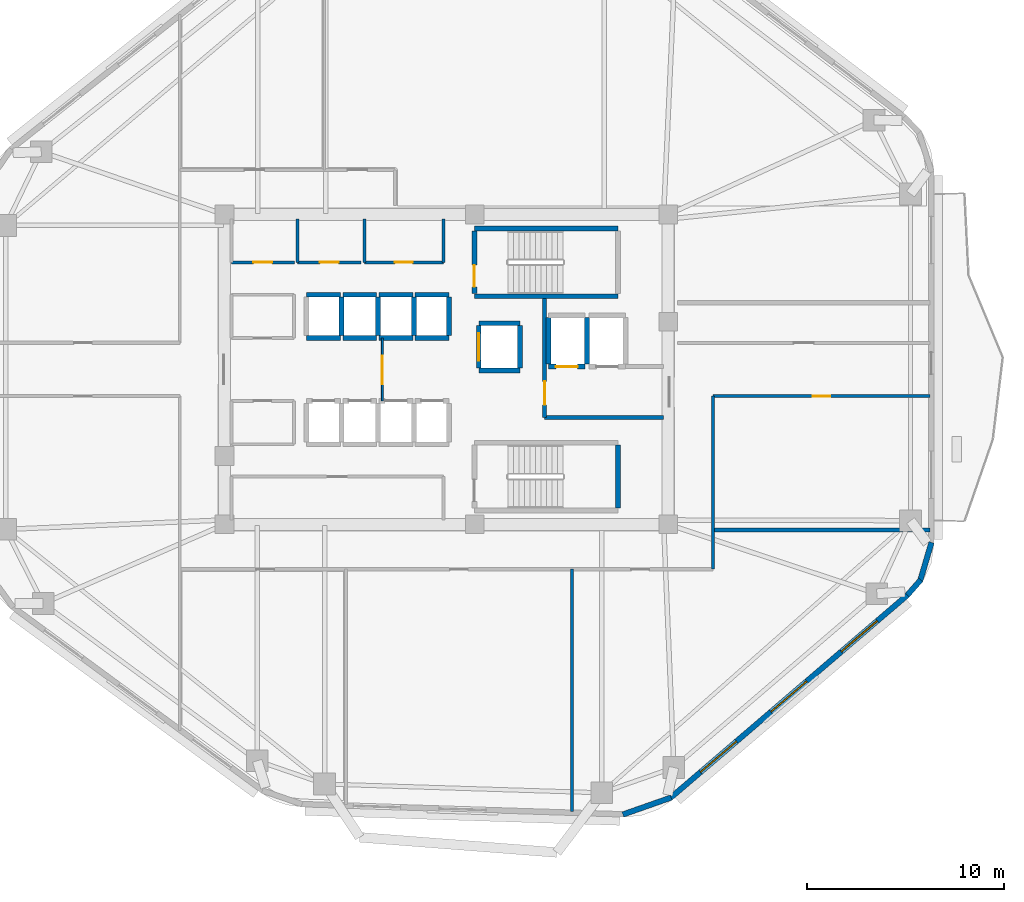
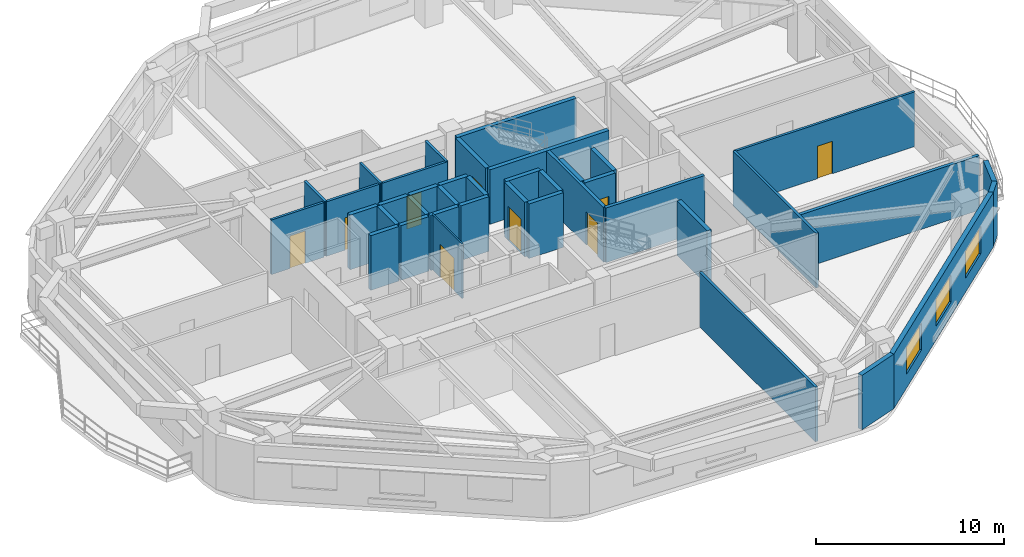
# One storey, part 4 of 8: 40 walls, 9 doors, 3 windows, 12 openings.
"""IFC4 building model written with IfcOpenShell, lengths in metres."""

from ifc_helpers import new_model, si_unit, direction, frame, frame_2d, origin, place, context, subcontext, project, spatial, rectangle, extrude, material, layer, layer_set, type_object, element, fill, save


model = new_model("IFC4")

# Units and contexts
model_context = context("Model", 3, precision=1e-05, world=origin(), true_north=direction((0.0, 1.0)))
body_context = subcontext(model_context, "Body", "Model", "MODEL_VIEW")
ifc_project = project(units=[si_unit("LENGTHUNIT", "METRE"), si_unit("AREAUNIT", "SQUARE_METRE"), si_unit("VOLUMEUNIT", "CUBIC_METRE"), si_unit("PLANEANGLEUNIT", "RADIAN"), si_unit("MASSUNIT", "GRAM", prefix="KILO")], contexts=[model_context])

# Site, building, storey
site_placement = place(None, origin())
site = spatial("IfcSite", under=ifc_project, at=site_placement, CompositionType="ELEMENT")
building_placement = place(site_placement, origin())
building = spatial("IfcBuilding", under=site, at=building_placement, Name="Zulverin Broadcast Headquarters", CompositionType="ELEMENT")
storey_placement = place(building_placement, frame((0.0, 0.0, 151.60009765625)))
storey = spatial("IfcBuildingStorey", under=building, at=storey_placement, Name="L38", CompositionType="ELEMENT", Elevation=151.60009765625)

# Wall
ifc_material_1 = material(Name="Acoustic drywall steel stud", Category="steel")
ifc_layer_1 = layer(ifc_material_1, 0.199951171875, Name="Acoustic drywall steel stud", Category="steel")
ifc_layer_set_1 = layer_set([ifc_layer_1], Name="Acoustic drywall steel stud")
wall_type_1 = type_object("IfcWallType", Name="WL-ACOU-200", PredefinedType="PARTITIONING", material=ifc_layer_set_1)
wall_1_placement = place(storey_placement, frame((50.550048828125, 17.050048828125, 0.0), z_axis=(0.0, 0.0, 1.0), x_axis=(1.0, 0.0, 0.0)))
element("IfcWall", 1, at=wall_1_placement, inside=storey, type_object=wall_type_1, Name="L38 Room Partition Wall RP-09", PredefinedType="PARTITIONING", context=body_context, shape_type="SweptSolid", body=[
    extrude(rectangle(XDim=11.044921875, YDim=0.199951171875, at=frame_2d((5.5224609375, 0.0))), origin(), (0.0, 0.0, 1.0), 3.539794921875),
])

# Wall, openings, windows
ifc_material_2 = material(Name="Insulated pale-metal clad concrete spandrel C40/50", Category="concrete")
ifc_layer_2 = layer(ifc_material_2, 0.280029296875, Name="Insulated pale-metal clad concrete spandrel C40/50", Category="concrete")
ifc_layer_set_2 = layer_set([ifc_layer_2], Name="Insulated pale-metal clad concrete spandrel C40/50")
wall_type_2 = type_object("IfcWallType", Name="WL-EXT-280", PredefinedType="STANDARD", material=ifc_layer_set_2)
wall_2_placement = place(storey_placement, frame((48.38525390625, 3.413818359375, 0.0), z_axis=(0.0, 0.0, 1.0), x_axis=(0.759700260779, 0.650273414628, 0.0)))
wall_2 = element("IfcWall", 2, at=wall_2_placement, inside=storey, type_object=wall_type_2, Name="L38 Pale-Metal Clad Spandrel Wall 2", PredefinedType="STANDARD", context=body_context, shape_type="SweptSolid", body=[
    extrude(rectangle(XDim=15.880859375, YDim=0.280029296875, at=frame_2d((7.9404296875, 0.0))), origin(), (0.0, 0.0, 1.0), 3.539794921875),
])
opening_1_placement = place(wall_2_placement, frame((2.030029296875, 0.0, 0.89990234375)))
opening_1 = element("IfcOpeningElement", 3, at=opening_1_placement, cuts=wall_2, Name="Opening W-L38-E21", PredefinedType="OPENING", context=body_context, shape_type="SweptSolid", body=[
    extrude(rectangle(XDim=2.39990234375, YDim=1.75, at=frame_2d((1.199951171875, 0.875))), frame((0.0, 0.14990234375, 0.0), z_axis=(0.0, -1.0, 0.0), x_axis=(1.0, 0.0, 0.0)), (0.0, 0.0, 1.0), 0.300048828125),
])
opening_2_placement = place(wall_2_placement, frame((6.740478515625, 0.0, 0.89990234375)))
opening_2 = element("IfcOpeningElement", 4, at=opening_2_placement, cuts=wall_2, Name="Opening W-L38-E22", PredefinedType="OPENING", context=body_context, shape_type="SweptSolid", body=[
    extrude(rectangle(XDim=2.39990234375, YDim=1.75, at=frame_2d((1.199951171875, 0.875))), frame((0.0, 0.14990234375, 0.0), z_axis=(0.0, -1.0, 0.0), x_axis=(1.0, 0.0, 0.0)), (0.0, 0.0, 1.0), 0.300048828125),
])
opening_3_placement = place(wall_2_placement, frame((11.45068359375, 0.0, 0.89990234375)))
opening_3 = element("IfcOpeningElement", 5, at=opening_3_placement, cuts=wall_2, Name="Opening W-L38-E23", PredefinedType="OPENING", context=body_context, shape_type="SweptSolid", body=[
    extrude(rectangle(XDim=2.39990234375, YDim=1.75, at=frame_2d((1.199951171875, 0.875))), frame((0.0, 0.14990234375, 0.0), z_axis=(0.0, -1.0, 0.0), x_axis=(1.0, 0.0, 0.0)), (0.0, 0.0, 1.0), 0.300048828125),
])
ifc_material_3 = material(Name="Pale anodized aluminium frame with solar-control low-E double glazing", Category="aluminium")
window_type = type_object("IfcWindowType", Name="WIN-RIB-2400", PartitioningType="SINGLE_PANEL", PredefinedType="WINDOW", material=ifc_material_3)
window_1_placement = place(opening_1_placement, origin())
window_1 = element("IfcWindow", 6, at=window_1_placement, inside=storey, type_object=window_type, Name="L38 Ribbon Glazing Window 2 1", OverallHeight=1.75, OverallWidth=2.39990234375, PartitioningType="SINGLE_PANEL", PredefinedType="WINDOW", context=body_context, shape_type="SweptSolid", body=[
    extrude(rectangle(XDim=2.39990234375, YDim=1.75, at=frame_2d((1.199951171875, 0.875))), frame((0.0, 0.030029296875, 0.0), z_axis=(0.0, -1.0, 0.0), x_axis=(1.0, 0.0, 0.0)), (0.0, 0.0, 1.0), 0.06005859375),
])
fill(opening_1, window_1)
window_2_placement = place(opening_2_placement, origin())
window_2 = element("IfcWindow", 7, at=window_2_placement, inside=storey, type_object=window_type, Name="L38 Ribbon Glazing Window 2 2", OverallHeight=1.75, OverallWidth=2.39990234375, PartitioningType="SINGLE_PANEL", PredefinedType="WINDOW", context=body_context, shape_type="SweptSolid", body=[
    extrude(rectangle(XDim=2.39990234375, YDim=1.75, at=frame_2d((1.199951171875, 0.875))), frame((0.0, 0.030029296875, 0.0), z_axis=(0.0, -1.0, 0.0), x_axis=(1.0, 0.0, 0.0)), (0.0, 0.0, 1.0), 0.06005859375),
])
fill(opening_2, window_2)
window_3_placement = place(opening_3_placement, origin())
window_3 = element("IfcWindow", 8, at=window_3_placement, inside=storey, type_object=window_type, Name="L38 Ribbon Glazing Window 2 3", OverallHeight=1.75, OverallWidth=2.39990234375, PartitioningType="SINGLE_PANEL", PredefinedType="WINDOW", context=body_context, shape_type="SweptSolid", body=[
    extrude(rectangle(XDim=2.39990234375, YDim=1.75, at=frame_2d((1.199951171875, 0.875))), frame((0.0, 0.030029296875, 0.0), z_axis=(0.0, -1.0, 0.0), x_axis=(1.0, 0.0, 0.0)), (0.0, 0.0, 1.0), 0.06005859375),
])
fill(opening_3, window_3)

# Walls
wall_3_placement = place(storey_placement, frame((45.974609375, 2.576416015625, 0.0), z_axis=(0.0, 0.0, 1.0), x_axis=(0.943377643365, 0.331720698781, 0.0)))
element("IfcWall", 9, at=wall_3_placement, inside=storey, type_object=wall_type_2, Name="L38 Wind-Shaped Corner Spandrel Wall 1-1", PredefinedType="STANDARD", context=body_context, shape_type="SweptSolid", body=[
    extrude(rectangle(XDim=2.6025390625, YDim=0.280029296875, at=frame_2d((1.30126953125, 0.0))), origin(), (0.0, 0.0, 1.0), 3.539794921875),
])
wall_4_placement = place(storey_placement, frame((60.435791015625, 13.7265625, 0.0), z_axis=(0.0, 0.0, 1.0), x_axis=(0.658571618609, 0.752518055041, 0.0)))
element("IfcWall", 10, at=wall_4_placement, inside=storey, type_object=wall_type_2, Name="L38 Wind-Shaped Corner Spandrel Wall 2-1", PredefinedType="STANDARD", context=body_context, shape_type="SweptSolid", body=[
    extrude(rectangle(XDim=1.03173828125, YDim=0.280029296875, at=frame_2d((0.515869140625, 0.0))), origin(), (0.0, 0.0, 1.0), 3.539794921875),
])
wall_5_placement = place(storey_placement, frame((61.08642578125, 14.450439453125, 0.0), z_axis=(0.0, 0.0, 1.0), x_axis=(0.283660953453, 0.958924639107, 0.0)))
element("IfcWall", 11, at=wall_5_placement, inside=storey, type_object=wall_type_2, Name="L38 Wind-Shaped Corner Spandrel Wall 2-2", PredefinedType="STANDARD", context=body_context, shape_type="SweptSolid", body=[
    extrude(rectangle(XDim=2.04248046875, YDim=0.280029296875, at=frame_2d((1.021240234375, 0.0))), origin(), (0.0, 0.0, 1.0), 3.539794921875),
])

# Wall, opening, door
ifc_material_4 = material(Name="Concrete C40/50", Category="concrete")
ifc_layer_3 = layer(ifc_material_4, 0.199951171875, Name="Concrete C40/50", Category="concrete")
ifc_layer_set_3 = layer_set([ifc_layer_3], Name="Concrete C40/50")
wall_type_3 = type_object("IfcWallType", Name="WL-FFL-200", PredefinedType="SOLIDWALL", material=ifc_layer_set_3)
wall_6_placement = place(storey_placement, frame((42.0, 22.75, 0.0), z_axis=(0.0, 0.0, 1.0), x_axis=(0.0, 1.0, 0.0)))
wall_6 = element("IfcWall", 12, at=wall_6_placement, inside=storey, type_object=wall_type_3, Name="L38 Firefighting Lift Lobby West Wall", PredefinedType="SOLIDWALL", context=body_context, shape_type="SweptSolid", body=[
    extrude(rectangle(XDim=6.050048828125, YDim=0.199951171875, at=frame_2d((3.02490234375, 0.0))), origin(), (0.0, 0.0, 1.0), 3.539794921875),
])
opening_4_placement = place(wall_6_placement, frame((0.64990234375, 0.0, 0.0)))
opening_4 = element("IfcOpeningElement", 13, at=opening_4_placement, cuts=wall_6, Name="Opening D-L38-FFLW", PredefinedType="OPENING", context=body_context, shape_type="SweptSolid", body=[
    extrude(rectangle(XDim=1.199951171875, YDim=2.14990234375, at=frame_2d((0.60009765625, 1.074951171875))), frame((0.0, 0.10986328125, 0.0), z_axis=(0.0, -1.0, 0.0), x_axis=(1.0, 0.0, 0.0)), (0.0, 0.0, 1.0), 0.219970703125),
])
ifc_material_5 = material(Name="Fire-rated steel leaf and frame", Category="steel")
door_type_1 = type_object("IfcDoorType", Name="DR-FFL-1200", OperationType="SINGLE_SWING_RIGHT", PredefinedType="DOOR", material=ifc_material_5)
door_1_placement = place(opening_4_placement, origin())
door_1 = element("IfcDoor", 14, at=door_1_placement, inside=storey, type_object=door_type_1, Name="L38 Firefighting Lift Lobby Door", OperationType="SINGLE_SWING_RIGHT", OverallHeight=2.14990234375, OverallWidth=1.199951171875, PredefinedType="DOOR", context=body_context, shape_type="SweptSolid", body=[
    extrude(rectangle(XDim=1.199951171875, YDim=2.14990234375, at=frame_2d((0.60009765625, 1.074951171875))), frame((0.0, 0.02490234375, 0.0), z_axis=(0.0, -1.0, 0.0), x_axis=(1.0, 0.0, 0.0)), (0.0, 0.0, 1.0), 0.050048828125),
])
fill(opening_4, door_1)

# Wall
wall_7_placement = place(storey_placement, frame((42.0, 22.75, 0.0), z_axis=(0.0, 0.0, 1.0), x_axis=(1.0, 0.0, 0.0)))
element("IfcWall", 15, at=wall_7_placement, inside=storey, type_object=wall_type_3, Name="L38 Firefighting Lift Lobby South Wall", PredefinedType="SOLIDWALL", context=body_context, shape_type="SweptSolid", body=[
    extrude(rectangle(XDim=6.050048828125, YDim=0.199951171875, at=frame_2d((3.02490234375, 0.0))), origin(), (0.0, 0.0, 1.0), 3.539794921875),
])

# Wall, opening, door
ifc_material_6 = material(Name="Fire-rated acoustic laminated glass screen", Category="glass")
ifc_layer_4 = layer(ifc_material_6, 0.10009765625, Name="Fire-rated acoustic laminated glass screen", Category="glass")
ifc_layer_set_4 = layer_set([ifc_layer_4], Name="Fire-rated acoustic laminated glass screen")
wall_type_4 = type_object("IfcWallType", Name="WL-GLAZ-100", PredefinedType="PARTITIONING", material=ifc_layer_set_4)
wall_8_placement = place(storey_placement, frame((33.75, 23.60009765625, 0.0), z_axis=(0.0, 0.0, 1.0), x_axis=(0.0, 1.0, 0.0)))
wall_8 = element("IfcWall", 16, at=wall_8_placement, inside=storey, type_object=wall_type_4, Name="L38 Core Lobby Acoustic Screen", PredefinedType="PARTITIONING", context=body_context, shape_type="SweptSolid", body=[
    extrude(rectangle(XDim=3.199951171875, YDim=0.10009765625, at=frame_2d((1.60009765625, 0.0))), origin(), (0.0, 0.0, 1.0), 3.539794921875),
])
opening_5_placement = place(wall_8_placement, frame((0.85009765625, 0.0, 0.0)))
opening_5 = element("IfcOpeningElement", 17, at=opening_5_placement, cuts=wall_8, Name="Opening D-L38-CL1", PredefinedType="OPENING", context=body_context, shape_type="SweptSolid", body=[
    extrude(rectangle(XDim=1.449951171875, YDim=2.1201171875, at=frame_2d((0.72509765625, 1.06005859375))), frame((0.0, 0.06005859375, 0.0), z_axis=(0.0, -1.0, 0.0), x_axis=(1.0, 0.0, 0.0)), (0.0, 0.0, 1.0), 0.1201171875),
])
ifc_material_7 = material(Name="Fire-rated acoustic glazed double leaf", Category="glass")
door_type_2 = type_object("IfcDoorType", Name="DR-GLZ-1450", OperationType="DOUBLE_DOOR_SINGLE_SWING", PredefinedType="DOOR", material=ifc_material_7)
door_2_placement = place(opening_5_placement, origin())
door_2 = element("IfcDoor", 18, at=door_2_placement, inside=storey, type_object=door_type_2, Name="L38 Core Lobby Vestibule Door", OperationType="DOUBLE_DOOR_SINGLE_SWING", OverallHeight=2.1201171875, OverallWidth=1.449951171875, PredefinedType="DOOR", context=body_context, shape_type="SweptSolid", body=[
    extrude(rectangle(XDim=1.449951171875, YDim=2.1201171875, at=frame_2d((0.72509765625, 1.06005859375))), frame((0.0, 0.02490234375, 0.0), z_axis=(0.0, -1.0, 0.0), x_axis=(1.0, 0.0, 0.0)), (0.0, 0.0, 1.0), 0.050048828125),
])
fill(opening_5, door_2)

ifc_material_8 = material(Name="Fire-rated gypsum stud partition", Category="gypsum")
ifc_layer_5 = layer(ifc_material_8, 0.14990234375, Name="Fire-rated gypsum stud partition", Category="gypsum")
ifc_layer_set_5 = layer_set([ifc_layer_5], Name="Fire-rated gypsum stud partition")
wall_type_5 = type_object("IfcWallType", Name="WL-PART-150", PredefinedType="PARTITIONING", material=ifc_layer_set_5)
wall_9_placement = place(storey_placement, frame((26.070068359375, 30.64990234375, 0.0), z_axis=(0.0, 0.0, 1.0), x_axis=(1.0, 0.0, 0.0)))
wall_9 = element("IfcWall", 19, at=wall_9_placement, inside=storey, type_object=wall_type_5, Name="L38 Core Accessible WC Front Wall", PredefinedType="PARTITIONING", context=body_context, shape_type="SweptSolid", body=[
    extrude(rectangle(XDim=3.199951171875, YDim=0.14990234375, at=frame_2d((1.60009765625, 0.0))), origin(), (0.0, 0.0, 1.0), 3.539794921875),
])
opening_6_placement = place(wall_9_placement, frame((1.125, 0.0, 0.0)))
opening_6 = element("IfcOpeningElement", 20, at=opening_6_placement, cuts=wall_9, Name="Opening D-L38-NC1", PredefinedType="OPENING", context=body_context, shape_type="SweptSolid", body=[
    extrude(rectangle(XDim=0.949951171875, YDim=2.10009765625, at=frame_2d((0.47509765625, 1.050048828125))), frame((0.0, 0.0849609375, 0.0), z_axis=(0.0, -1.0, 0.0), x_axis=(1.0, 0.0, 0.0)), (0.0, 0.0, 1.0), 0.169921875),
])
ifc_material_9 = material(Name="Fire-rated moisture-resistant laminate leaf", Category="wood")
door_type_3 = type_object("IfcDoorType", Name="DR-WC-950", OperationType="SINGLE_SWING_LEFT", PredefinedType="DOOR", material=ifc_material_9)
door_3_placement = place(opening_6_placement, origin())
door_3 = element("IfcDoor", 21, at=door_3_placement, inside=storey, type_object=door_type_3, Name="L38 Accessible WC Door", OperationType="SINGLE_SWING_LEFT", OverallHeight=2.10009765625, OverallWidth=0.949951171875, PredefinedType="DOOR", context=body_context, shape_type="SweptSolid", body=[
    extrude(rectangle(XDim=0.949951171875, YDim=2.10009765625, at=frame_2d((0.47509765625, 1.050048828125))), frame((0.0, 0.02490234375, 0.0), z_axis=(0.0, -1.0, 0.0), x_axis=(1.0, 0.0, 0.0)), (0.0, 0.0, 1.0), 0.050048828125),
])
fill(opening_6, door_3)

wall_10_placement = place(storey_placement, frame((29.429931640625, 30.64990234375, 0.0), z_axis=(0.0, 0.0, 1.0), x_axis=(1.0, 0.0, 0.0)))
wall_10 = element("IfcWall", 22, at=wall_10_placement, inside=storey, type_object=wall_type_5, Name="L38 Core Male WC Front Wall", PredefinedType="PARTITIONING", context=body_context, shape_type="SweptSolid", body=[
    extrude(rectangle(XDim=3.239990234375, YDim=0.14990234375, at=frame_2d((1.6201171875, 0.0))), origin(), (0.0, 0.0, 1.0), 3.539794921875),
])
opening_7_placement = place(wall_10_placement, frame((1.14501953125, 0.0, 0.0)))
opening_7 = element("IfcOpeningElement", 23, at=opening_7_placement, cuts=wall_10, Name="Opening D-L38-NC2", PredefinedType="OPENING", context=body_context, shape_type="SweptSolid", body=[
    extrude(rectangle(XDim=0.949951171875, YDim=2.10009765625, at=frame_2d((0.47509765625, 1.050048828125))), frame((0.0, 0.0849609375, 0.0), z_axis=(0.0, -1.0, 0.0), x_axis=(1.0, 0.0, 0.0)), (0.0, 0.0, 1.0), 0.169921875),
])
door_4_placement = place(opening_7_placement, origin())
door_4 = element("IfcDoor", 24, at=door_4_placement, inside=storey, type_object=door_type_3, Name="L38 Male WC Door", OperationType="SINGLE_SWING_RIGHT", OverallHeight=2.10009765625, OverallWidth=0.949951171875, PredefinedType="DOOR", context=body_context, shape_type="SweptSolid", body=[
    extrude(rectangle(XDim=0.949951171875, YDim=2.10009765625, at=frame_2d((0.47509765625, 1.050048828125))), frame((0.0, 0.02490234375, 0.0), z_axis=(0.0, -1.0, 0.0), x_axis=(1.0, 0.0, 0.0)), (0.0, 0.0, 1.0), 0.050048828125),
])
fill(opening_7, door_4)

# Wall
wall_11_placement = place(storey_placement, frame((29.429931640625, 30.64990234375, 0.0), z_axis=(0.0, 0.0, 1.0), x_axis=(0.0, 1.0, 0.0)))
element("IfcWall", 25, at=wall_11_placement, inside=storey, type_object=wall_type_5, Name="L38 Core Male WC West Wall", PredefinedType="PARTITIONING", context=body_context, shape_type="SweptSolid", body=[
    extrude(rectangle(XDim=2.2001953125, YDim=0.14990234375, at=frame_2d((1.10009765625, 0.0))), origin(), (0.0, 0.0, 1.0), 3.539794921875),
])

# Wall, opening, door
wall_12_placement = place(storey_placement, frame((32.830078125, 30.64990234375, 0.0), z_axis=(0.0, 0.0, 1.0), x_axis=(1.0, 0.0, 0.0)))
wall_12 = element("IfcWall", 26, at=wall_12_placement, inside=storey, type_object=wall_type_5, Name="L38 Core Electrical Switch Riser Front Wall", PredefinedType="PARTITIONING", context=body_context, shape_type="SweptSolid", body=[
    extrude(rectangle(XDim=4.02001953125, YDim=0.14990234375, at=frame_2d((2.010009765625, 0.0))), origin(), (0.0, 0.0, 1.0), 3.539794921875),
])
opening_8_placement = place(wall_12_placement, frame((1.56005859375, 0.0, 0.0)))
opening_8 = element("IfcOpeningElement", 27, at=opening_8_placement, cuts=wall_12, Name="Opening D-L38-NC3", PredefinedType="OPENING", context=body_context, shape_type="SweptSolid", body=[
    extrude(rectangle(XDim=0.89990234375, YDim=2.10009765625, at=frame_2d((0.449951171875, 1.050048828125))), frame((0.0, 0.0849609375, 0.0), z_axis=(0.0, -1.0, 0.0), x_axis=(1.0, 0.0, 0.0)), (0.0, 0.0, 1.0), 0.169921875),
])
ifc_material_10 = material(Name="Powder-coated steel access leaf", Category="steel")
door_type_4 = type_object("IfcDoorType", Name="DR-RISER-900", OperationType="SINGLE_SWING_LEFT", PredefinedType="DOOR", material=ifc_material_10)
door_5_placement = place(opening_8_placement, origin())
door_5 = element("IfcDoor", 28, at=door_5_placement, inside=storey, type_object=door_type_4, Name="L38 Electrical Switch Riser Door", OperationType="SINGLE_SWING_LEFT", OverallHeight=2.10009765625, OverallWidth=0.89990234375, PredefinedType="DOOR", context=body_context, shape_type="SweptSolid", body=[
    extrude(rectangle(XDim=0.89990234375, YDim=2.10009765625, at=frame_2d((0.449951171875, 1.050048828125))), frame((0.0, 0.02490234375, 0.0), z_axis=(0.0, -1.0, 0.0), x_axis=(1.0, 0.0, 0.0)), (0.0, 0.0, 1.0), 0.050048828125),
])
fill(opening_8, door_5)

# Walls
for number, where, z_axis, x_axis, name in (
    (29, (32.830078125, 30.64990234375, 0.0), (0.0, 0.0, 1.0), (0.0, 1.0, 0.0), "L38 Core Electrical Switch Riser West Wall"),
    (30, (36.85009765625, 30.64990234375, 0.0), (0.0, 0.0, 1.0), (0.0, 1.0, 0.0), "L38 Core Electrical Switch Riser East Wall"),
):
    element("IfcWall", number, at=place(storey_placement, frame(where, z_axis=z_axis, x_axis=x_axis)), inside=storey, type_object=wall_type_5, Name=name, PredefinedType="PARTITIONING", context=body_context, shape_type="SweptSolid", body=[
        extrude(rectangle(XDim=2.2001953125, YDim=0.14990234375, at=frame_2d((1.10009765625, 0.0))), origin(), (0.0, 0.0, 1.0), 3.539794921875),
    ])
wall_13_placement = place(storey_placement, frame((50.550048828125, 15.050048828125, 0.0), z_axis=(0.0, 0.0, 1.0), x_axis=(0.0, 1.0, 0.0)))
element("IfcWall", 31, at=wall_13_placement, inside=storey, type_object=wall_type_5, Name="L38 Gallery Partition Wall CG-01", PredefinedType="PARTITIONING", context=body_context, shape_type="SweptSolid", body=[
    extrude(rectangle(XDim=8.800048828125, YDim=0.14990234375, at=frame_2d((4.39990234375, 0.0))), origin(), (0.0, 0.0, 1.0), 3.539794921875),
])
wall_14_placement = place(storey_placement, frame((43.39990234375, 2.732421875, 0.0), z_axis=(0.0, 0.0, 1.0), x_axis=(0.0, 1.0, 0.0)))
element("IfcWall", 32, at=wall_14_placement, inside=storey, type_object=wall_type_5, Name="L38 Room Partition Wall RP-02", PredefinedType="PARTITIONING", context=body_context, shape_type="SweptSolid", body=[
    extrude(rectangle(XDim=12.317626953125, YDim=0.14990234375, at=frame_2d((6.15869140625, 0.0))), origin(), (0.0, 0.0, 1.0), 3.539794921875),
])

# Wall, opening, door
wall_15_placement = place(storey_placement, frame((50.550048828125, 23.85009765625, 0.0), z_axis=(0.0, 0.0, 1.0), x_axis=(1.0, 0.0, 0.0)))
wall_15 = element("IfcWall", 33, at=wall_15_placement, inside=storey, type_object=wall_type_5, Name="L38 Gallery Partition Wall CG-11", PredefinedType="PARTITIONING", context=body_context, shape_type="SweptSolid", body=[
    extrude(rectangle(XDim=11.044921875, YDim=0.14990234375, at=frame_2d((5.5224609375, 0.0))), origin(), (0.0, 0.0, 1.0), 3.539794921875),
])
opening_9_placement = place(wall_15_placement, frame((5.072509765625, 0.0, 0.0)))
opening_9 = element("IfcOpeningElement", 34, at=opening_9_placement, cuts=wall_15, Name="Opening D-L38-08", PredefinedType="OPENING", context=body_context, shape_type="SweptSolid", body=[
    extrude(rectangle(XDim=0.89990234375, YDim=2.10009765625, at=frame_2d((0.449951171875, 1.050048828125))), frame((0.0, 0.0849609375, 0.0), z_axis=(0.0, -1.0, 0.0), x_axis=(1.0, 0.0, 0.0)), (0.0, 0.0, 1.0), 0.169921875),
])
ifc_material_11 = material(Name="Fire-rated hardwood veneer timber leaf", Category="wood")
door_type_5 = type_object("IfcDoorType", Name="DR-ROOM-900", OperationType="SINGLE_SWING_RIGHT", PredefinedType="DOOR", material=ifc_material_11)
door_6_placement = place(opening_9_placement, origin())
door_6 = element("IfcDoor", 35, at=door_6_placement, inside=storey, type_object=door_type_5, Name="L38 Tea Pantry Door", OperationType="SINGLE_SWING_LEFT", OverallHeight=2.10009765625, OverallWidth=0.89990234375, PredefinedType="DOOR", context=body_context, shape_type="SweptSolid", body=[
    extrude(rectangle(XDim=0.89990234375, YDim=2.10009765625, at=frame_2d((0.449951171875, 1.050048828125))), frame((0.0, 0.02490234375, 0.0), z_axis=(0.0, -1.0, 0.0), x_axis=(1.0, 0.0, 0.0)), (0.0, 0.0, 1.0), 0.050048828125),
])
fill(opening_9, door_6)

# Walls
ifc_material_12 = material(Name="Concrete C50/60", Category="concrete")
ifc_layer_6 = layer(ifc_material_12, 0.25, Name="Concrete C50/60", Category="concrete")
ifc_layer_set_6 = layer_set([ifc_layer_6], Name="Concrete C50/60")
wall_type_6 = type_object("IfcWallType", Name="WL-SHAFT-250", PredefinedType="SHEAR", material=ifc_layer_set_6)
for number, where, z_axis, x_axis, name in (
    (36, (38.425048828125, 28.925048828125, 0.0), (0.0, 0.0, 1.0), (1.0, 0.0, 0.0), "L38 ST-1 Enclosure Wall S"),
    (37, (38.425048828125, 32.375, 0.0), (0.0, 0.0, 1.0), (1.0, 0.0, 0.0), "L38 ST-1 Enclosure Wall N"),
):
    element("IfcWall", number, at=place(storey_placement, frame(where, z_axis=z_axis, x_axis=x_axis)), inside=storey, type_object=wall_type_6, Name=name, PredefinedType="SHEAR", context=body_context, shape_type="SweptSolid", body=[
        extrude(rectangle(XDim=7.300048828125, YDim=0.25, at=frame_2d((3.64990234375, 0.0))), origin(), (0.0, 0.0, 1.0), 3.539794921875),
    ])

# Wall, opening, door
wall_16_placement = place(storey_placement, frame((38.425048828125, 29.050048828125, 0.0), z_axis=(0.0, 0.0, 1.0), x_axis=(0.0, 1.0, 0.0)))
wall_16 = element("IfcWall", 38, at=wall_16_placement, inside=storey, type_object=wall_type_6, Name="L38 ST-1 Enclosure Wall W", PredefinedType="SHEAR", context=body_context, shape_type="SweptSolid", body=[
    extrude(rectangle(XDim=3.199951171875, YDim=0.25, at=frame_2d((1.60009765625, 0.0))), origin(), (0.0, 0.0, 1.0), 3.539794921875),
])
opening_10_placement = place(wall_16_placement, frame((0.35009765625, 0.0, 0.0)))
opening_10 = element("IfcOpeningElement", 39, at=opening_10_placement, cuts=wall_16, Name="Opening D-L38-ST-1", PredefinedType="OPENING", context=body_context, shape_type="SweptSolid", body=[
    extrude(rectangle(XDim=1.10009765625, YDim=2.14990234375, at=frame_2d((0.550048828125, 1.074951171875))), frame((0.0, 0.135009765625, 0.0), z_axis=(0.0, -1.0, 0.0), x_axis=(1.0, 0.0, 0.0)), (0.0, 0.0, 1.0), 0.27001953125),
])
door_type_6 = type_object("IfcDoorType", Name="DR-STAIR-1100", OperationType="SINGLE_SWING_LEFT", PredefinedType="DOOR", material=ifc_material_5)
door_7_placement = place(opening_10_placement, origin())
door_7 = element("IfcDoor", 40, at=door_7_placement, inside=storey, type_object=door_type_6, Name="L38 Exit Stair ST-1 Fire Door", OperationType="SINGLE_SWING_LEFT", OverallHeight=2.14990234375, OverallWidth=1.10009765625, PredefinedType="DOOR", context=body_context, shape_type="SweptSolid", body=[
    extrude(rectangle(XDim=1.10009765625, YDim=2.14990234375, at=frame_2d((0.550048828125, 1.074951171875))), frame((0.0, 0.02490234375, 0.0), z_axis=(0.0, -1.0, 0.0), x_axis=(1.0, 0.0, 0.0)), (0.0, 0.0, 1.0), 0.050048828125),
])
fill(opening_10, door_7)

# Walls
wall_17_placement = place(storey_placement, frame((45.72509765625, 18.14990234375, 0.0), z_axis=(0.0, 0.0, 1.0), x_axis=(0.0, 1.0, 0.0)))
element("IfcWall", 41, at=wall_17_placement, inside=storey, type_object=wall_type_6, Name="L38 ST-2 Enclosure Wall E", PredefinedType="SHEAR", context=body_context, shape_type="SweptSolid", body=[
    extrude(rectangle(XDim=3.2001953125, YDim=0.25, at=frame_2d((1.60009765625, 0.0))), origin(), (0.0, 0.0, 1.0), 3.539794921875),
])
for number, where, z_axis, x_axis, name in (
    (42, (29.89990234375, 26.800048828125, 0.0), (0.0, 0.0, 1.0), (1.0, 0.0, 0.0), "L38 Lift PL-H1 Shaft Wall S"),
    (43, (29.89990234375, 29.0, 0.0), (0.0, 0.0, 1.0), (1.0, 0.0, 0.0), "L38 Lift PL-H1 Shaft Wall N"),
):
    element("IfcWall", number, at=place(storey_placement, frame(where, z_axis=z_axis, x_axis=x_axis)), inside=storey, type_object=wall_type_6, Name=name, PredefinedType="SHEAR", context=body_context, shape_type="SweptSolid", body=[
        extrude(rectangle(XDim=1.72021484375, YDim=0.25, at=frame_2d((0.860107421875, 0.0))), origin(), (0.0, 0.0, 1.0), 3.539794921875),
    ])
wall_18_placement = place(storey_placement, frame((31.679931640625, 26.919921875, 0.0), z_axis=(0.0, 0.0, 1.0), x_axis=(0.0, 1.0, 0.0)))
element("IfcWall", 44, at=wall_18_placement, inside=storey, type_object=wall_type_6, Name="L38 Lift PL-H1 Shaft Wall E", PredefinedType="SHEAR", context=body_context, shape_type="SweptSolid", body=[
    extrude(rectangle(XDim=1.9599609375, YDim=0.25, at=frame_2d((0.97998046875, 0.0))), origin(), (0.0, 0.0, 1.0), 3.539794921875),
])
for number, where, z_axis, x_axis, name in (
    (45, (31.739990234375, 26.800048828125, 0.0), (0.0, 0.0, 1.0), (1.0, 0.0, 0.0), "L38 Lift PL-H2 Shaft Wall S"),
    (46, (31.739990234375, 29.0, 0.0), (0.0, 0.0, 1.0), (1.0, 0.0, 0.0), "L38 Lift PL-H2 Shaft Wall N"),
):
    element("IfcWall", number, at=place(storey_placement, frame(where, z_axis=z_axis, x_axis=x_axis)), inside=storey, type_object=wall_type_6, Name=name, PredefinedType="SHEAR", context=body_context, shape_type="SweptSolid", body=[
        extrude(rectangle(XDim=1.719970703125, YDim=0.25, at=frame_2d((0.85986328125, 0.0))), origin(), (0.0, 0.0, 1.0), 3.539794921875),
    ])
wall_19_placement = place(storey_placement, frame((33.52001953125, 26.919921875, 0.0), z_axis=(0.0, 0.0, 1.0), x_axis=(0.0, 1.0, 0.0)))
element("IfcWall", 47, at=wall_19_placement, inside=storey, type_object=wall_type_6, Name="L38 Lift PL-H2 Shaft Wall E", PredefinedType="SHEAR", context=body_context, shape_type="SweptSolid", body=[
    extrude(rectangle(XDim=1.9599609375, YDim=0.25, at=frame_2d((0.97998046875, 0.0))), origin(), (0.0, 0.0, 1.0), 3.539794921875),
])
for number, where, z_axis, x_axis, name in (
    (48, (33.580078125, 26.800048828125, 0.0), (0.0, 0.0, 1.0), (1.0, 0.0, 0.0), "L38 Lift PL-H3 Shaft Wall S"),
    (49, (33.580078125, 29.0, 0.0), (0.0, 0.0, 1.0), (1.0, 0.0, 0.0), "L38 Lift PL-H3 Shaft Wall N"),
):
    element("IfcWall", number, at=place(storey_placement, frame(where, z_axis=z_axis, x_axis=x_axis)), inside=storey, type_object=wall_type_6, Name=name, PredefinedType="SHEAR", context=body_context, shape_type="SweptSolid", body=[
        extrude(rectangle(XDim=1.719970703125, YDim=0.25, at=frame_2d((0.85986328125, 0.0))), origin(), (0.0, 0.0, 1.0), 3.539794921875),
    ])
wall_20_placement = place(storey_placement, frame((35.360107421875, 26.919921875, 0.0), z_axis=(0.0, 0.0, 1.0), x_axis=(0.0, 1.0, 0.0)))
element("IfcWall", 50, at=wall_20_placement, inside=storey, type_object=wall_type_6, Name="L38 Lift PL-H3 Shaft Wall E", PredefinedType="SHEAR", context=body_context, shape_type="SweptSolid", body=[
    extrude(rectangle(XDim=1.9599609375, YDim=0.25, at=frame_2d((0.97998046875, 0.0))), origin(), (0.0, 0.0, 1.0), 3.539794921875),
])
for number, where, z_axis, x_axis, name in (
    (51, (35.419921875, 26.800048828125, 0.0), (0.0, 0.0, 1.0), (1.0, 0.0, 0.0), "L38 Lift PL-H4 Shaft Wall S"),
    (52, (35.419921875, 29.0, 0.0), (0.0, 0.0, 1.0), (1.0, 0.0, 0.0), "L38 Lift PL-H4 Shaft Wall N"),
):
    element("IfcWall", number, at=place(storey_placement, frame(where, z_axis=z_axis, x_axis=x_axis)), inside=storey, type_object=wall_type_6, Name=name, PredefinedType="SHEAR", context=body_context, shape_type="SweptSolid", body=[
        extrude(rectangle(XDim=1.719970703125, YDim=0.25, at=frame_2d((0.85986328125, 0.0))), origin(), (0.0, 0.0, 1.0), 3.539794921875),
    ])
wall_21_placement = place(storey_placement, frame((37.139892578125, 26.919921875, 0.0), z_axis=(0.0, 0.0, 1.0), x_axis=(0.0, 1.0, 0.0)))
element("IfcWall", 53, at=wall_21_placement, inside=storey, type_object=wall_type_6, Name="L38 Lift PL-H4 Shaft Wall E", PredefinedType="SHEAR", context=body_context, shape_type="SweptSolid", body=[
    extrude(rectangle(XDim=1.9599609375, YDim=0.25, at=frame_2d((0.97998046875, 0.0))), origin(), (0.0, 0.0, 1.0), 3.539794921875),
])

# Wall, opening, door
wall_22_placement = place(storey_placement, frame((42.199951171875, 25.35009765625, 0.0), z_axis=(0.0, 0.0, 1.0), x_axis=(1.0, 0.0, 0.0)))
wall_22 = element("IfcWall", 54, at=wall_22_placement, inside=storey, type_object=wall_type_6, Name="L38 Lift FFL-1 Shaft Wall S", PredefinedType="SHEAR", context=body_context, shape_type="SweptSolid", body=[
    extrude(rectangle(XDim=1.85009765625, YDim=0.25, at=frame_2d((0.925048828125, 0.0))), origin(), (0.0, 0.0, 1.0), 3.539794921875),
])
opening_11_placement = place(wall_22_placement, frame((0.375, 0.0, 0.0)))
opening_11 = element("IfcOpeningElement", 55, at=opening_11_placement, cuts=wall_22, Name="Opening LD-FFL-1-L38", PredefinedType="OPENING", context=body_context, shape_type="SweptSolid", body=[
    extrude(rectangle(XDim=1.10009765625, YDim=2.14990234375, at=frame_2d((0.550048828125, 1.074951171875))), frame((0.0, 0.135009765625, 0.0), z_axis=(0.0, -1.0, 0.0), x_axis=(1.0, 0.0, 0.0)), (0.0, 0.0, 1.0), 0.27001953125),
])
ifc_material_13 = material(Name="Fire-rated stainless landing door", Category="steel")
door_type_7 = type_object("IfcDoorType", Name="LD-FFL-1100", OperationType="DOUBLE_DOOR_SLIDING", PredefinedType="DOOR", material=ifc_material_13)
door_8_placement = place(opening_11_placement, origin())
door_8 = element("IfcDoor", 56, at=door_8_placement, inside=storey, type_object=door_type_7, Name="L38 Lift FFL-1 Sliding Landing Door", OperationType="DOUBLE_DOOR_SLIDING", OverallHeight=2.14990234375, OverallWidth=1.10009765625, PredefinedType="DOOR", context=body_context, shape_type="SweptSolid", body=[
    extrude(rectangle(XDim=1.10009765625, YDim=2.14990234375, at=frame_2d((0.550048828125, 1.074951171875))), frame((0.0, 0.02490234375, 0.0), z_axis=(0.0, -1.0, 0.0), x_axis=(1.0, 0.0, 0.0)), (0.0, 0.0, 1.0), 0.050048828125),
])
fill(opening_11, door_8)

# Walls
for number, where, z_axis, x_axis, name in (
    (57, (42.199951171875, 25.469970703125, 0.0), (0.0, 0.0, 1.0), (0.0, 1.0, 0.0), "L38 Lift FFL-1 Shaft Wall W"),
    (58, (44.14990234375, 25.469970703125, 0.0), (0.0, 0.0, 1.0), (0.0, 1.0, 0.0), "L38 Lift FFL-1 Shaft Wall E"),
):
    element("IfcWall", number, at=place(storey_placement, frame(where, z_axis=z_axis, x_axis=x_axis)), inside=storey, type_object=wall_type_6, Name=name, PredefinedType="SHEAR", context=body_context, shape_type="SweptSolid", body=[
        extrude(rectangle(XDim=2.360107421875, YDim=0.25, at=frame_2d((1.18017578125, 0.0))), origin(), (0.0, 0.0, 1.0), 3.539794921875),
    ])
for number, where, z_axis, x_axis, name in (
    (59, (38.64990234375, 25.14990234375, 0.0), (0.0, 0.0, 1.0), (1.0, 0.0, 0.0), "L38 Lift SVL-1 Shaft Wall S"),
    (60, (38.64990234375, 27.550048828125, 0.0), (0.0, 0.0, 1.0), (1.0, 0.0, 0.0), "L38 Lift SVL-1 Shaft Wall N"),
):
    element("IfcWall", number, at=place(storey_placement, frame(where, z_axis=z_axis, x_axis=x_axis)), inside=storey, type_object=wall_type_6, Name=name, PredefinedType="SHEAR", context=body_context, shape_type="SweptSolid", body=[
        extrude(rectangle(XDim=2.10009765625, YDim=0.25, at=frame_2d((1.050048828125, 0.0))), origin(), (0.0, 0.0, 1.0), 3.539794921875),
    ])

# Wall, opening, door
wall_23_placement = place(storey_placement, frame((38.64990234375, 25.27001953125, 0.0), z_axis=(0.0, 0.0, 1.0), x_axis=(0.0, 1.0, 0.0)))
wall_23 = element("IfcWall", 61, at=wall_23_placement, inside=storey, type_object=wall_type_6, Name="L38 Lift SVL-1 Shaft Wall W", PredefinedType="SHEAR", context=body_context, shape_type="SweptSolid", body=[
    extrude(rectangle(XDim=2.159912109375, YDim=0.25, at=frame_2d((1.080078125, 0.0))), origin(), (0.0, 0.0, 1.0), 3.539794921875),
])
opening_12_placement = place(wall_23_placement, frame((0.3798828125, 0.0, 0.0)))
opening_12 = element("IfcOpeningElement", 62, at=opening_12_placement, cuts=wall_23, Name="Opening LD-SVL-1-L38", PredefinedType="OPENING", context=body_context, shape_type="SweptSolid", body=[
    extrude(rectangle(XDim=1.39990234375, YDim=2.199951171875, at=frame_2d((0.699951171875, 1.10009765625))), frame((0.0, 0.135009765625, 0.0), z_axis=(0.0, -1.0, 0.0), x_axis=(1.0, 0.0, 0.0)), (0.0, 0.0, 1.0), 0.27001953125),
])
ifc_material_14 = material(Name="Heavy-duty stainless landing door", Category="steel")
door_type_8 = type_object("IfcDoorType", Name="LD-GOODS-1400", OperationType="DOUBLE_DOOR_SLIDING", PredefinedType="DOOR", material=ifc_material_14)
door_9_placement = place(opening_12_placement, origin())
door_9 = element("IfcDoor", 63, at=door_9_placement, inside=storey, type_object=door_type_8, Name="L38 Lift SVL-1 Sliding Landing Door", OperationType="DOUBLE_DOOR_SLIDING", OverallHeight=2.199951171875, OverallWidth=1.39990234375, PredefinedType="DOOR", context=body_context, shape_type="SweptSolid", body=[
    extrude(rectangle(XDim=1.39990234375, YDim=2.199951171875, at=frame_2d((0.699951171875, 1.10009765625))), frame((0.0, 0.02490234375, 0.0), z_axis=(0.0, -1.0, 0.0), x_axis=(1.0, 0.0, 0.0)), (0.0, 0.0, 1.0), 0.050048828125),
])
fill(opening_12, door_9)

# Wall
wall_24_placement = place(storey_placement, frame((40.75, 25.27001953125, 0.0), z_axis=(0.0, 0.0, 1.0), x_axis=(0.0, 1.0, 0.0)))
element("IfcWall", 64, at=wall_24_placement, inside=storey, type_object=wall_type_6, Name="L38 Lift SVL-1 Shaft Wall E", PredefinedType="SHEAR", context=body_context, shape_type="SweptSolid", body=[
    extrude(rectangle(XDim=2.159912109375, YDim=0.25, at=frame_2d((1.080078125, 0.0))), origin(), (0.0, 0.0, 1.0), 3.539794921875),
])

save(model, "model.ifc")
